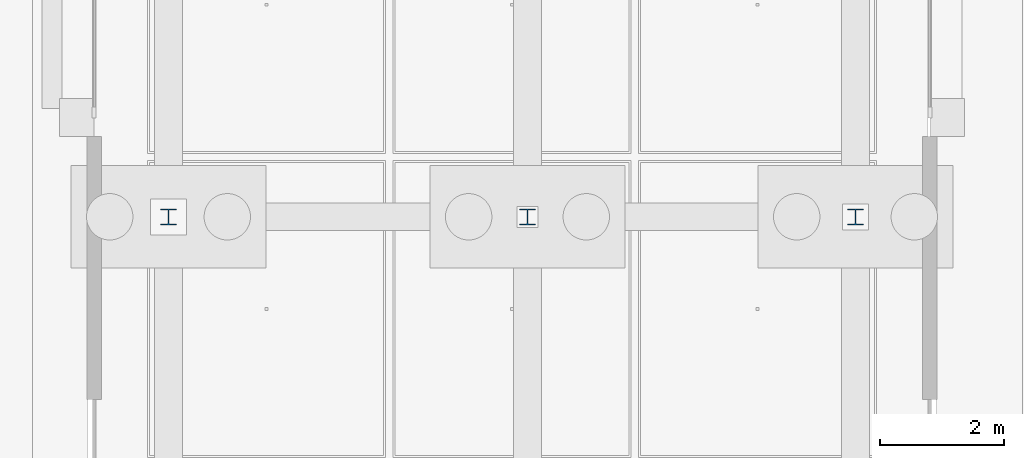
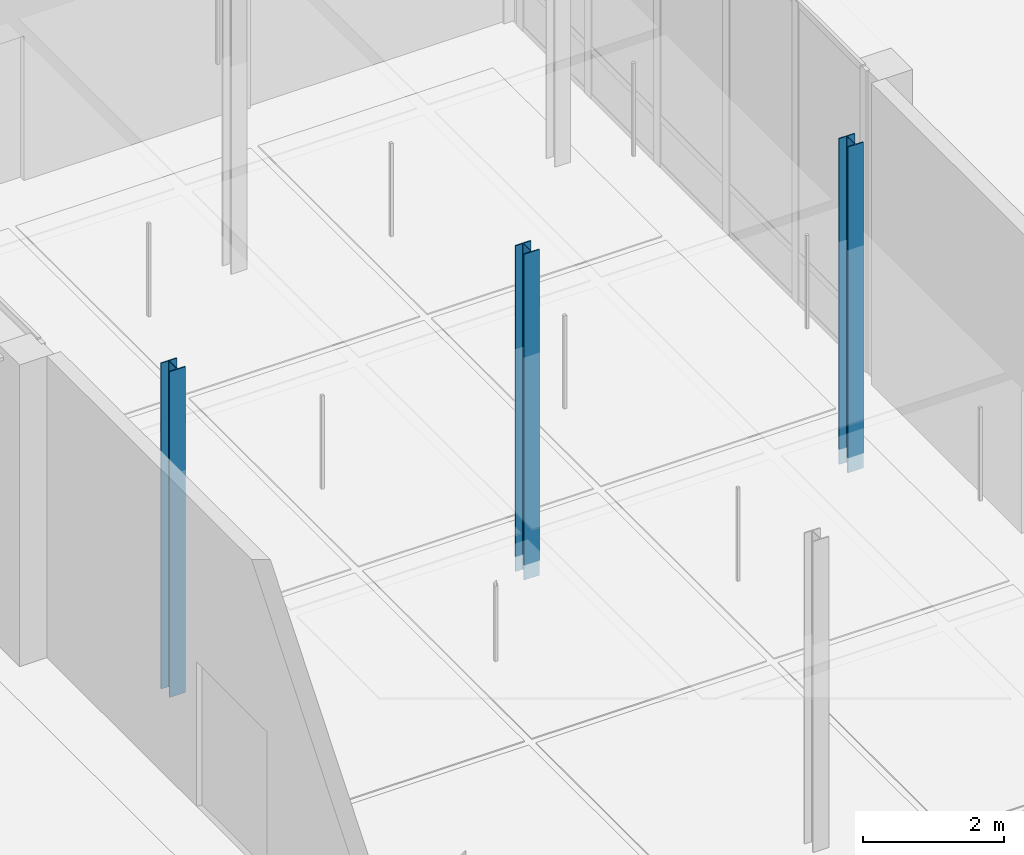
# One storey, part 15 of 180: 3 columns.
"""IFC4 building model written with IfcOpenShell, lengths in metres."""

from ifc_helpers import new_model, si_unit, direction, frame, origin, origin_2d, place, context, subcontext, project, spatial, i_section, extrude, material, material_profile, profile_set, type_object, element, save


model = new_model("IFC4")

# Units and contexts
model_context = context("Model", 3, precision=1e-05, world=origin(), true_north=direction((0.0, 1.0)))
body_context = subcontext(model_context, "Body", "Model", "MODEL_VIEW")
ifc_project = project(units=[si_unit("LENGTHUNIT", "METRE"), si_unit("AREAUNIT", "SQUARE_METRE"), si_unit("VOLUMEUNIT", "CUBIC_METRE"), si_unit("PLANEANGLEUNIT", "RADIAN"), si_unit("MASSUNIT", "GRAM", prefix="KILO"), si_unit("THERMODYNAMICTEMPERATUREUNIT", "KELVIN"), si_unit("POWERUNIT", "WATT")], contexts=[model_context])

# Site, building, storey
site_placement = place(None, origin())
site = spatial("IfcSite", under=ifc_project, at=site_placement, CompositionType="ELEMENT")
building_placement = place(site_placement, origin())
building = spatial("IfcBuilding", under=site, at=building_placement, Name="Tallowbark Science Centre", CompositionType="ELEMENT")
storey_placement = place(building_placement, origin())
storey = spatial("IfcBuildingStorey", under=building, at=storey_placement, Name="L00", CompositionType="ELEMENT", Elevation=0.0)

# Columns
ifc_material = material(Name="Structural Steel Grade 300PLUS (300 MPa)", Category="steel")
ifc_material_profile = material_profile(ifc_material, i_section(OverallWidth=0.256103515625, OverallDepth=0.260009765625, WebThickness=0.010498046875, FlangeThickness=0.017333984375, FilletRadius=0.013916015625, at=origin_2d()), Name="250UC89.5")
ifc_profile_set = profile_set([ifc_material_profile], Name="Structural Steel Grade 300PLUS (300 MPa)")
column_type = type_object("IfcColumnType", Name="COL-UC250A", PredefinedType="COLUMN", material=ifc_profile_set)
for number, where, z_axis, x_axis, name in (
    (1, (100.199951171875, 60.199951171875, -0.239990234375), (0.0, 0.0, 1.0), (1.0, 0.0, 0.0), "Column LNK-0_2 L00"),
    (2, (106.0, 60.199951171875, -0.239990234375), (0.0, 0.0, 1.0), (1.0, 0.0, 0.0), "Column LNK-1_2 L00"),
    (3, (111.300048828125, 60.199951171875, -0.239990234375), (0.0, 0.0, 1.0), (1.0, 0.0, 0.0), "Column LNK-2_2 L00"),
):
    element("IfcColumn", number, at=place(storey_placement, frame(where, z_axis=z_axis, x_axis=x_axis)), inside=storey, type_object=column_type, Name=name, PredefinedType="COLUMN", context=body_context, shape_type="SweptSolid", body=[
        extrude(i_section(OverallWidth=0.256103515625, OverallDepth=0.260009765625, WebThickness=0.010498046875, FlangeThickness=0.017333984375, FilletRadius=0.013916015625, at=origin_2d()), origin(), (0.0, 0.0, 1.0), 5.639892578125),
    ])

save(model, "model.ifc")
